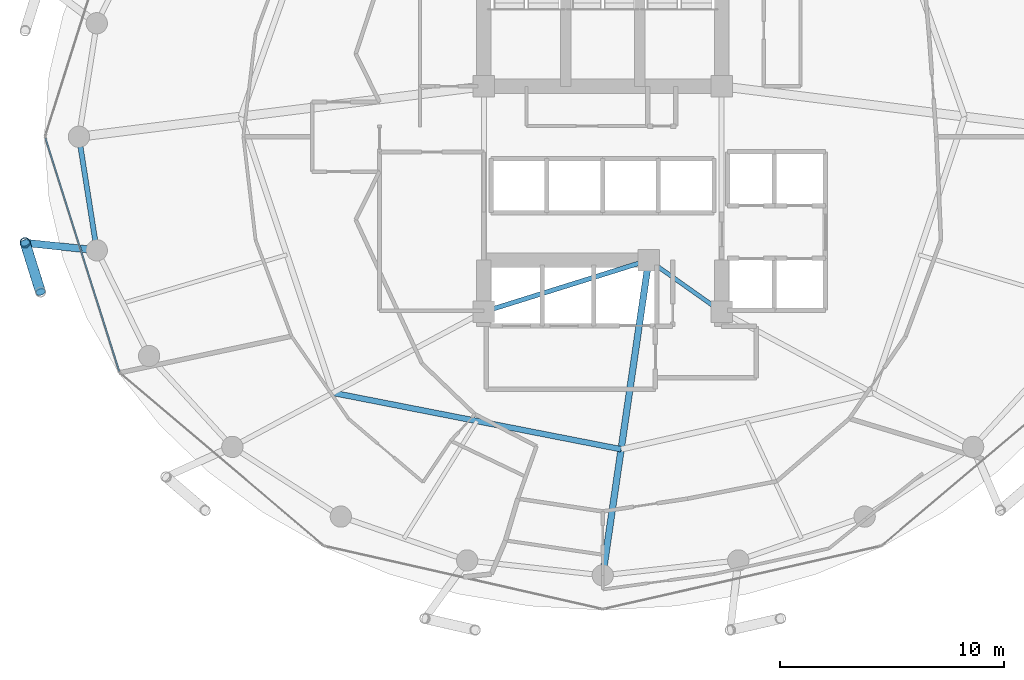
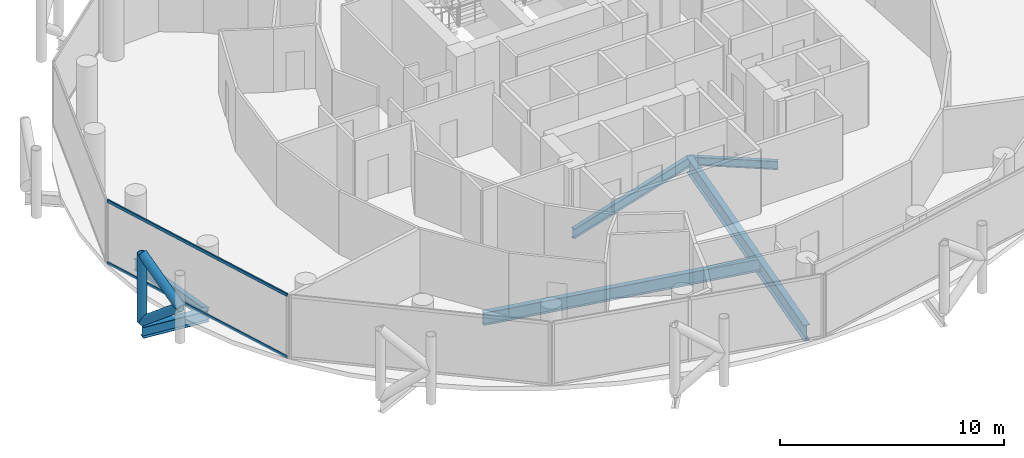
# One storey, part 5 of 26: 6 beams, 5 members, 1 element without a shape of its own.
"""IFC4 building model written with IfcOpenShell, lengths in metres."""

from ifc_helpers import new_model, si_unit, direction, frame, origin, origin_2d, place, context, subcontext, project, spatial, hollow_rectangle, hollow_circle, i_section, extrude, material, layer, layer_set, material_profile, profile_set, type_object, element, aggregate, save


model = new_model("IFC4")

# Units and contexts
model_context = context("Model", 3, precision=1e-05, world=origin(), true_north=direction((0.0, 1.0)))
body_context = subcontext(model_context, "Body", "Model", "MODEL_VIEW")
ifc_project = project(units=[si_unit("LENGTHUNIT", "METRE"), si_unit("AREAUNIT", "SQUARE_METRE"), si_unit("VOLUMEUNIT", "CUBIC_METRE"), si_unit("PLANEANGLEUNIT", "RADIAN"), si_unit("MASSUNIT", "GRAM", prefix="KILO")], contexts=[model_context])

# Site, building, storey
site_placement = place(None, origin())
site = spatial("IfcSite", under=ifc_project, at=site_placement, CompositionType="ELEMENT")
building_placement = place(site_placement, origin())
building = spatial("IfcBuilding", under=site, at=building_placement, Name="Nuhasar Tower", CompositionType="ELEMENT")
storey_placement = place(building_placement, frame((0.0, 0.0, 184.85009765625)))
storey = spatial("IfcBuildingStorey", under=building, at=storey_placement, Name="L45", CompositionType="ELEMENT", Elevation=184.85009765625)

# Beams
ifc_material_1 = material(Name="Steel S355", Category="steel")
ifc_material_profile_1 = material_profile(ifc_material_1, i_section(OverallWidth=0.25390625, OverallDepth=0.68408203125, WebThickness=0.012451171875, FlangeThickness=0.018798828125, at=origin_2d()), Name="W27X94")
ifc_profile_set_1 = profile_set([ifc_material_profile_1], Name="Steel S355")
beam_type_1 = type_object("IfcBeamType", Name="BM-INRING-W27X94", PredefinedType="BEAM", material=ifc_profile_set_1)
beam_1_placement = place(storey_placement, frame((26.972900390625, 15.385986328125, -0.592041015625), z_axis=(0.981359637088, -0.192180286956, 0.0), x_axis=(0.192180286956, 0.981359637088, 0.0)))
element("IfcBeam", 1, at=beam_1_placement, inside=storey, type_object=beam_type_1, Name="L45 Inner Header Beam 01", PredefinedType="BEAM", context=body_context, shape_type="SweptSolid", body=[
    extrude(i_section(OverallWidth=0.25390625, OverallDepth=0.68408203125, WebThickness=0.012451171875, FlangeThickness=0.018798828125, at=origin_2d()), origin(), (0.0, 0.0, 1.0), 13.09130859375),
])
ifc_material_profile_2 = material_profile(ifc_material_1, i_section(OverallWidth=0.2919921875, OverallDepth=0.85888671875, WebThickness=0.01708984375, FlangeThickness=0.031005859375, at=origin_2d()), Name="W33X169")
ifc_profile_set_2 = profile_set([ifc_material_profile_2], Name="Steel S355")
beam_type_2 = type_object("IfcBeamType", Name="BM-POD-W33X169", PredefinedType="BEAM", material=ifc_profile_set_2)
beam_2_placement = place(storey_placement, frame((41.050048828125, 21.300048828125, -0.67919921875), z_axis=(-0.144381604017, -0.989522082837, 0.0), x_axis=(0.989522082837, -0.144381604017, 0.0)))
element("IfcBeam", 2, at=beam_2_placement, inside=storey, type_object=beam_type_2, Name="L45 Radial Floor Girder 02", PredefinedType="BEAM", context=body_context, shape_type="SweptSolid", body=[
    extrude(i_section(OverallWidth=0.2919921875, OverallDepth=0.85888671875, WebThickness=0.01708984375, FlangeThickness=0.031005859375, at=origin_2d()), origin(), (0.0, 0.0, 1.0), 14.19873046875),
])
ifc_material_profile_3 = material_profile(ifc_material_1, i_section(OverallWidth=0.18994140625, OverallDepth=0.45703125, WebThickness=0.009033203125, FlangeThickness=0.014404296875, at=origin_2d()), Name="W18X50")
ifc_profile_set_3 = profile_set([ifc_material_profile_3], Name="Steel S355")
beam_type_3 = type_object("IfcBeamType", Name="BM-RAD-W18X50", PredefinedType="BEAM", material=ifc_profile_set_3)
beam_3_placement = place(storey_placement, frame((41.050048828125, 21.300048828125, -0.47900390625), z_axis=(0.816265428953, -0.577677028708, 0.0), x_axis=(0.577677028708, 0.816265428953, 0.0)))
element("IfcBeam", 3, at=beam_3_placement, inside=storey, type_object=beam_type_3, Name="L45 Core Ring Girder 2", PredefinedType="BEAM", context=body_context, shape_type="SweptSolid", body=[
    extrude(i_section(OverallWidth=0.18994140625, OverallDepth=0.45703125, WebThickness=0.009033203125, FlangeThickness=0.014404296875, at=origin_2d()), origin(), (0.0, 0.0, 1.0), 3.9814453125),
])
ifc_material_profile_4 = material_profile(ifc_material_1, i_section(OverallWidth=0.208984375, OverallDepth=0.532958984375, WebThickness=0.01025390625, FlangeThickness=0.015625, at=origin_2d()), Name="W21X62")
ifc_profile_set_4 = profile_set([ifc_material_profile_4], Name="Steel S355")
beam_type_4 = type_object("IfcBeamType", Name="BM-RAD-W21X62", PredefinedType="BEAM", material=ifc_profile_set_4)
beam_4_placement = place(storey_placement, frame((33.699951171875, 19.0, -0.51708984375), z_axis=(0.954363709454, 0.298646798205, 0.0), x_axis=(-0.298646798205, 0.954363709454, 0.0)))
element("IfcBeam", 4, at=beam_4_placement, inside=storey, type_object=beam_type_4, Name="L45 Core Ring Girder 1", PredefinedType="BEAM", context=body_context, shape_type="SweptSolid", body=[
    extrude(i_section(OverallWidth=0.208984375, OverallDepth=0.532958984375, WebThickness=0.01025390625, FlangeThickness=0.015625, at=origin_2d()), origin(), (0.0, 0.0, 1.0), 7.70166015625),
])
ifc_material_profile_5 = material_profile(ifc_material_1, i_section(OverallWidth=0.22998046875, OverallDepth=0.616943359375, WebThickness=0.01318359375, FlangeThickness=0.022216796875, at=origin_2d()), Name="W24X94")
ifc_profile_set_5 = profile_set([ifc_material_profile_5], Name="Steel S355")
beam_type_5 = type_object("IfcBeamType", Name="BM-RING-W24X94", PredefinedType="SPANDREL", material=ifc_profile_set_5)
beam_5_placement = place(storey_placement, frame((15.64990234375, 26.800048828125, -0.55908203125), z_axis=(0.155426543608, -0.987847452566, 0.0), x_axis=(0.987847452566, 0.155426543608, 0.0)))
element("IfcBeam", 5, at=beam_5_placement, inside=storey, type_object=beam_type_5, Name="L45 Perimeter Ring Spandrel 13", PredefinedType="SPANDREL", context=body_context, shape_type="SweptSolid", body=[
    extrude(i_section(OverallWidth=0.22998046875, OverallDepth=0.616943359375, WebThickness=0.01318359375, FlangeThickness=0.022216796875, at=origin_2d()), origin(), (0.0, 0.0, 1.0), 5.122314453125),
])
ifc_material_profile_6 = material_profile(ifc_material_1, i_section(OverallWidth=0.323974609375, OverallDepth=0.611083984375, WebThickness=0.0126953125, FlangeThickness=0.01904296875, at=origin_2d()), Name="W24X104")
ifc_profile_set_6 = profile_set([ifc_material_profile_6], Name="Steel S355")
beam_type_6 = type_object("IfcBeamType", Name="BM-TIE-W24X104", PredefinedType="BEAM", material=ifc_profile_set_6)
beam_6_placement = place(storey_placement, frame((16.446044921875, 21.739990234375, -0.55615234375), z_axis=(-0.994577694483, 0.103996200111, 0.0), x_axis=(-0.103996200111, -0.994577694483, 0.0)))
element("IfcBeam", 6, at=beam_6_placement, inside=storey, type_object=beam_type_6, Name="L45 Exoskeleton Node Tie Beam 07", PredefinedType="BEAM", context=body_context, shape_type="SweptSolid", body=[
    extrude(i_section(OverallWidth=0.323974609375, OverallDepth=0.611083984375, WebThickness=0.0126953125, FlangeThickness=0.01904296875, at=origin_2d()), origin(), (0.0, 0.0, 1.0), 3.21142578125),
])

# Curtain wall, members
ifc_material_2 = material(Name="Aluminium 6063-T6", Category="aluminium")
ifc_layer = layer(ifc_material_2, 0.199951171875)
ifc_layer_set = layer_set([ifc_layer], Name="Aluminium 6063-T6")
curtain_wall_type = type_object("IfcCurtainWallType", Name="CW-Z2-HTL", PredefinedType="NOTDEFINED", material=ifc_layer_set)
curtain_wall_placement = place(storey_placement, origin())
curtain_wall = element("IfcCurtainWall", 7, at=curtain_wall_placement, inside=storey, type_object=curtain_wall_type, Name="L45 Unitised Curtain Wall 07", PredefinedType="NOTDEFINED")
ifc_material_profile_7 = material_profile(ifc_material_2, hollow_rectangle(XDim=0.070068359375, YDim=0.159912109375, WallThickness=0.00439453125, at=origin_2d()), Name="CWT-3")
ifc_profile_set_7 = profile_set([ifc_material_profile_7], Name="Aluminium 6063-T6")
member_type_1 = type_object("IfcMemberType", Name="CW-TRN-S3", PredefinedType="USERDEFINED", material=ifc_profile_set_7)
member_1_placement = place(storey_placement, frame((14.1611328125, 26.733154296875, 0.034912109375), z_axis=(0.301608163352, -0.953431967053, 0.0), x_axis=(0.953431967053, 0.301608163352, 0.0)))
member_1 = element("IfcMember", 8, at=member_1_placement, type_object=member_type_1, Name="CW-Z2 transom 1.1", ObjectType="TRANSOM", PredefinedType="USERDEFINED", context=body_context, shape_type="SweptSolid", body=[
    extrude(hollow_rectangle(XDim=0.070068359375, YDim=0.159912109375, WallThickness=0.00439453125, at=origin_2d()), origin(), (0.0, 0.0, 1.0), 10.904296875),
])
member_2_placement = place(storey_placement, frame((14.1611328125, 26.733154296875, 3.414794921875), z_axis=(0.301608163352, -0.953431967053, 0.0), x_axis=(0.953431967053, 0.301608163352, 0.0)))
member_2 = element("IfcMember", 9, at=member_2_placement, type_object=member_type_1, Name="CW-Z2 transom 1.2", ObjectType="TRANSOM", PredefinedType="USERDEFINED", context=body_context, shape_type="SweptSolid", body=[
    extrude(hollow_rectangle(XDim=0.070068359375, YDim=0.159912109375, WallThickness=0.00439453125, at=origin_2d()), origin(), (0.0, 0.0, 1.0), 10.904296875),
])
aggregate(curtain_wall, [member_1, member_2])

# Members
ifc_material_3 = material(Name="Steel S460", Category="steel")
ifc_material_profile_8 = material_profile(ifc_material_3, hollow_circle(Radius=0.228515625, WallThickness=0.022216796875, at=origin_2d()), Name="HSS457X22.2")
ifc_profile_set_8 = profile_set([ifc_material_profile_8], Name="Steel S460")
member_type_2 = type_object("IfcMemberType", Name="EXO-BRONZE-457", PredefinedType="BRACE", material=ifc_profile_set_8)
member_3_placement = place(storey_placement, frame((13.251953125, 22.073974609375, 0.0), z_axis=(0.0, 0.0, 1.0), x_axis=(1.0, 0.0, 0.0)))
element("IfcMember", 10, at=member_3_placement, inside=storey, type_object=member_type_2, Name="L45 Exoskeleton Chord Column EC-07A", PredefinedType="BRACE", context=body_context, shape_type="SweptSolid", body=[
    extrude(hollow_circle(Radius=0.228515625, WallThickness=0.022216796875, at=origin_2d()), origin(), (0.0, 0.0, 1.0), 3.699951171875),
])
member_4_placement = place(storey_placement, frame((13.251953125, 22.073974609375, 0.0), z_axis=(0.233067628236, -0.74361641074, 0.626669062861), x_axis=(0.954228474306, 0.29907861646, 0.0)))
element("IfcMember", 11, at=member_4_placement, inside=storey, type_object=member_type_2, Name="L45 Bronze Diagrid Brace W1-07", PredefinedType="BRACE", context=body_context, shape_type="SweptSolid", body=[
    extrude(hollow_circle(Radius=0.228515625, WallThickness=0.022216796875, at=origin_2d()), origin(), (0.0, 0.0, 1.0), 2.951904296875),
])
member_5_placement = place(storey_placement, frame((13.93994140625, 19.87890625, 1.849853515625), z_axis=(-0.233055548538, 0.743577869731, 0.626719285599), x_axis=(-0.954228474306, -0.29907861646, 0.0)))
element("IfcMember", 12, at=member_5_placement, inside=storey, type_object=member_type_2, Name="L45 Bronze Diagrid Brace W2-07", PredefinedType="BRACE", context=body_context, shape_type="SweptSolid", body=[
    extrude(hollow_circle(Radius=0.228515625, WallThickness=0.022216796875, at=origin_2d()), origin(), (0.0, 0.0, 1.0), 2.9521484375),
])

save(model, "model.ifc")
